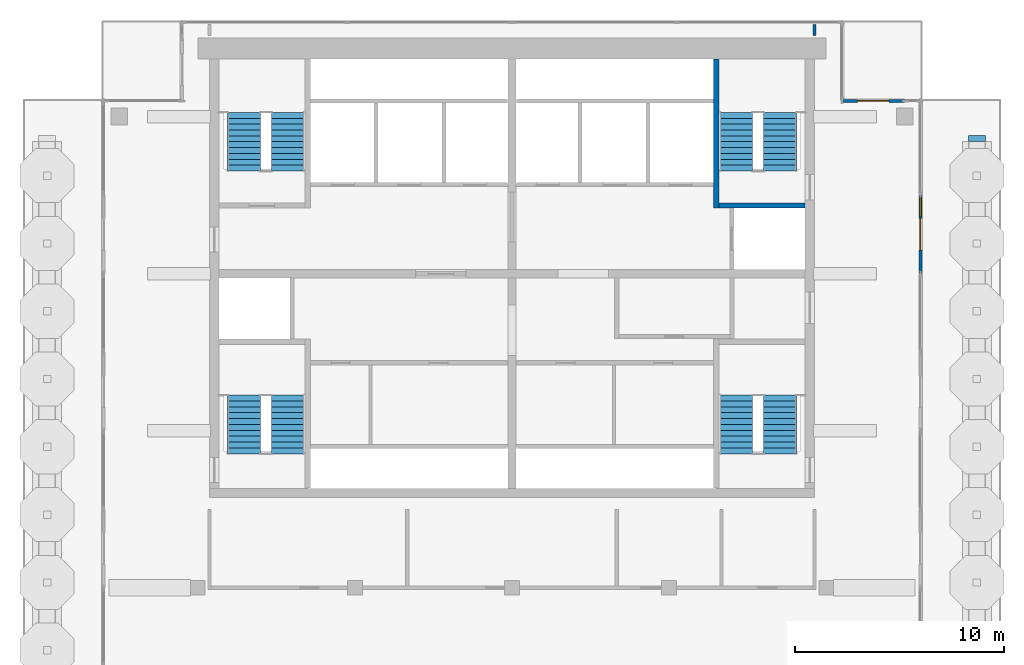
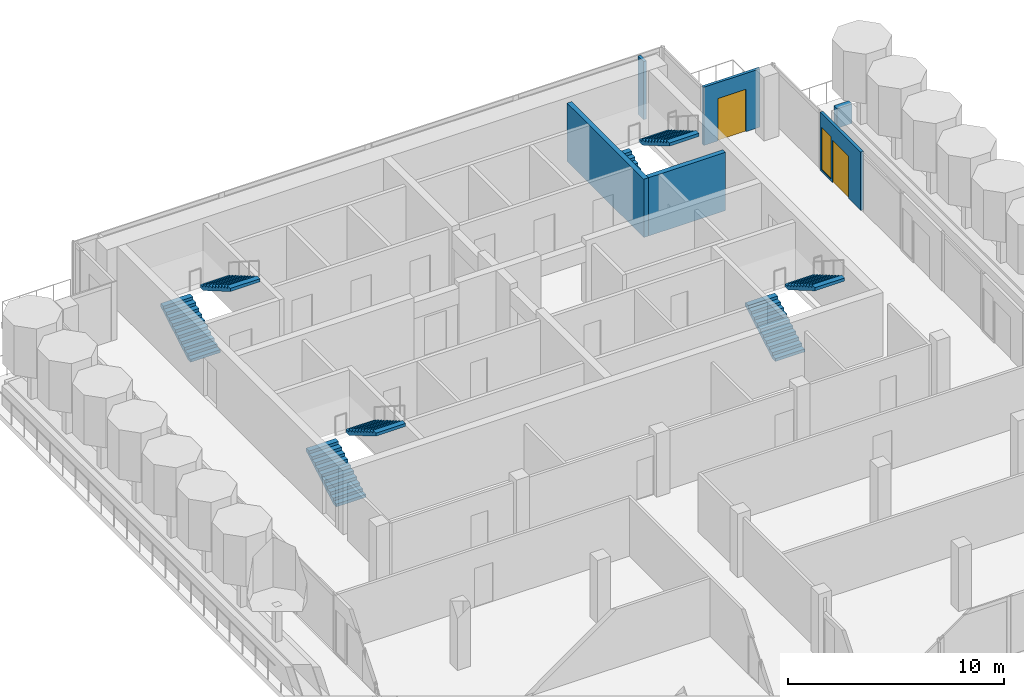
# One storey, part 11 of 15: 8 stair flights, 6 walls, 2 doors, 1 window, 3 openings, 4 elements without a shape of their own.
"""IFC4 building model written with IfcOpenShell, lengths in metres."""

from ifc_helpers import new_model, si_unit, direction, frame, frame_2d, origin, place, context, subcontext, project, spatial, polyline, rectangle, outline, extrude, material, layer, layer_set, type_object, element, fill, aggregate, save


model = new_model("IFC4")

# Units and contexts
model_context = context("Model", 3, precision=1e-05, world=origin(), true_north=direction((0.0, 1.0)))
body_context = subcontext(model_context, "Body", "Model", "MODEL_VIEW")
ifc_project = project(units=[si_unit("LENGTHUNIT", "METRE"), si_unit("AREAUNIT", "SQUARE_METRE"), si_unit("VOLUMEUNIT", "CUBIC_METRE"), si_unit("PLANEANGLEUNIT", "RADIAN"), si_unit("MASSUNIT", "GRAM", prefix="KILO")], contexts=[model_context])

# Site, building, storey
site_placement = place(None, origin())
site = spatial("IfcSite", under=ifc_project, at=site_placement, CompositionType="ELEMENT")
building_placement = place(site_placement, origin())
building = spatial("IfcBuilding", under=site, at=building_placement, Name="Pilkhan Gate Tower", CompositionType="ELEMENT")
storey_placement = place(building_placement, frame((0.0, 0.0, 265.699951171875)))
storey = spatial("IfcBuildingStorey", under=building, at=storey_placement, Name="L69", CompositionType="ELEMENT", Elevation=265.699951171875)

# Wall, openings, door, window
ifc_material_1 = material(Name="Pale anodised aluminium, clear laminated glazing", Category="aluminium")
ifc_layer_1 = layer(ifc_material_1, 0.14990234375)
ifc_layer_set_1 = layer_set([ifc_layer_1], Name="Facade infill wall IW150")
wall_type_1 = type_object("IfcWallType", Name="Facade infill wall IW150", PredefinedType="SOLIDWALL", material=ifc_layer_set_1)
wall_1_placement = place(storey_placement, frame((94.5, 86.25, 0.0), z_axis=(0.0, 0.0, 1.0), x_axis=(0.0, -1.0, 0.0)))
wall_1 = element("IfcWall", 1, at=wall_1_placement, inside=storey, type_object=wall_type_1, Name="Infill wall L69 E", PredefinedType="SOLIDWALL", context=body_context, shape_type="SweptSolid", body=[
    extrude(rectangle(XDim=3.75, YDim=0.14990234375, at=frame_2d((1.875, 0.0))), origin(), (0.0, 0.0, 1.0), 3.300048828125),
])
opening_1_placement = place(wall_1_placement, frame((0.112548828125, 0.0, 0.10009765625)))
opening_1 = element("IfcOpeningElement", 2, at=opening_1_placement, cuts=wall_1, Name="Opening W1", PredefinedType="OPENING", context=body_context, shape_type="SweptSolid", body=[
    extrude(rectangle(XDim=0.89990234375, YDim=2.39990234375, at=frame_2d((0.449951171875, 1.199951171875))), frame((0.0, 0.0849609375, 0.0), z_axis=(0.0, -1.0, 0.0), x_axis=(1.0, 0.0, 0.0)), (0.0, 0.0, 1.0), 0.169921875),
])
opening_2_placement = place(wall_1_placement, frame((1.125, 0.0, 0.0)))
opening_2 = element("IfcOpeningElement", 3, at=opening_2_placement, cuts=wall_1, Name="Opening D5", PredefinedType="OPENING", context=body_context, shape_type="SweptSolid", body=[
    extrude(rectangle(XDim=1.5, YDim=2.39990234375, at=frame_2d((0.75, 1.199951171875))), frame((0.0, 0.0849609375, 0.0), z_axis=(0.0, -1.0, 0.0), x_axis=(1.0, 0.0, 0.0)), (0.0, 0.0, 1.0), 0.169921875),
])
ifc_material_2 = material(Name="Pale anodised aluminium, clear glazing", Category="aluminium")
door_type = type_object("IfcDoorType", Name="Terrace door D5 1500x2400", OperationType="DOUBLE_DOOR_SINGLE_SWING", PredefinedType="DOOR", material=ifc_material_2)
door_1_placement = place(opening_2_placement, origin())
door_1 = element("IfcDoor", 4, at=door_1_placement, inside=storey, type_object=door_type, Name="Terrace door L69", OperationType="DOUBLE_DOOR_SINGLE_SWING", OverallHeight=2.39990234375, OverallWidth=1.5, PredefinedType="DOOR", context=body_context, shape_type="SweptSolid", body=[
    extrude(rectangle(XDim=1.5, YDim=2.39990234375, at=frame_2d((0.75, 1.199951171875))), frame((0.0, 0.02490234375, 0.0), z_axis=(0.0, -1.0, 0.0), x_axis=(1.0, 0.0, 0.0)), (0.0, 0.0, 1.0), 0.050048828125),
])
fill(opening_2, door_1)
ifc_material_3 = material(Name="Pale anodised aluminium, clear double glazing", Category="aluminium")
window_type = type_object("IfcWindowType", Name="Window W1 900x2400", PartitioningType="SINGLE_PANEL", PredefinedType="WINDOW", material=ifc_material_3)
window_placement = place(opening_1_placement, origin())
window = element("IfcWindow", 5, at=window_placement, inside=storey, type_object=window_type, Name="Window L69", OverallHeight=2.39990234375, OverallWidth=0.89990234375, PartitioningType="SINGLE_PANEL", PredefinedType="WINDOW", context=body_context, shape_type="SweptSolid", body=[
    extrude(rectangle(XDim=0.89990234375, YDim=2.39990234375, at=frame_2d((0.449951171875, 1.199951171875))), frame((0.0, 0.030029296875, 0.0), z_axis=(0.0, -1.0, 0.0), x_axis=(1.0, 0.0, 0.0)), (0.0, 0.0, 1.0), 0.06005859375),
])
fill(opening_1, window)

# Wall, opening, door
wall_2_placement = place(storey_placement, frame((90.75, 90.75, 0.0), z_axis=(0.0, 0.0, 1.0), x_axis=(1.0, 0.0, 0.0)))
wall_2 = element("IfcWall", 6, at=wall_2_placement, inside=storey, type_object=wall_type_1, Name="Infill wall L69 N", PredefinedType="SOLIDWALL", context=body_context, shape_type="SweptSolid", body=[
    extrude(rectangle(XDim=3.0, YDim=0.14990234375, at=frame_2d((1.5, 0.0))), origin(), (0.0, 0.0, 1.0), 3.300048828125),
])
opening_3_placement = place(wall_2_placement, frame((0.75, 0.0, 0.0)))
opening_3 = element("IfcOpeningElement", 7, at=opening_3_placement, cuts=wall_2, Name="Opening D5", PredefinedType="OPENING", context=body_context, shape_type="SweptSolid", body=[
    extrude(rectangle(XDim=1.5, YDim=2.39990234375, at=frame_2d((0.75, 1.199951171875))), frame((0.0, 0.0849609375, 0.0), z_axis=(0.0, -1.0, 0.0), x_axis=(1.0, 0.0, 0.0)), (0.0, 0.0, 1.0), 0.169921875),
])
door_2_placement = place(opening_3_placement, origin())
door_2 = element("IfcDoor", 8, at=door_2_placement, inside=storey, type_object=door_type, Name="Terrace door L69", OperationType="DOUBLE_DOOR_SINGLE_SWING", OverallHeight=2.39990234375, OverallWidth=1.5, PredefinedType="DOOR", context=body_context, shape_type="SweptSolid", body=[
    extrude(rectangle(XDim=1.5, YDim=2.39990234375, at=frame_2d((0.75, 1.199951171875))), frame((0.0, 0.02490234375, 0.0), z_axis=(0.0, -1.0, 0.0), x_axis=(1.0, 0.0, 0.0)), (0.0, 0.0, 1.0), 0.050048828125),
])
fill(opening_3, door_2)

# Walls
ifc_material_4 = material(Name="Blockwork partition, plastered both sides", Category="masonry")
ifc_layer_2 = layer(ifc_material_4, 0.14990234375)
ifc_layer_set_2 = layer_set([ifc_layer_2], Name="Partition PW150")
wall_type_2 = type_object("IfcWallType", Name="Partition PW150", PredefinedType="PARTITIONING", material=ifc_layer_set_2)
wall_3_placement = place(storey_placement, frame((89.449951171875, 93.8701171875, 0.0), z_axis=(0.0, 0.0, 1.0), x_axis=(0.0, 1.0, 0.0)))
element("IfcWall", 9, at=wall_3_placement, inside=storey, type_object=wall_type_2, Name="Partition L69", PredefinedType="PARTITIONING", context=body_context, shape_type="SweptSolid", body=[
    extrude(rectangle(XDim=0.52490234375, YDim=0.14990234375, at=frame_2d((0.262451171875, 0.0))), origin(), (0.0, 0.0, 1.0), 3.300048828125),
])
ifc_material_5 = material(Name="Reinforced blockwork, 120 minute fire resisting", Category="masonry")
ifc_layer_3 = layer(ifc_material_5, 0.25)
ifc_layer_set_3 = layer_set([ifc_layer_3], Name="Stair enclosure wall SE250")
wall_type_3 = type_object("IfcWallType", Name="Stair enclosure wall SE250", PredefinedType="PARTITIONING", material=ifc_layer_set_3)
wall_4_placement = place(storey_placement, frame((84.875, 85.75, 0.0), z_axis=(0.0, 0.0, 1.0), x_axis=(1.0, 0.0, 0.0)))
element("IfcWall", 10, at=wall_4_placement, inside=storey, type_object=wall_type_3, Name="Partition L69", PredefinedType="PARTITIONING", context=body_context, shape_type="SweptSolid", body=[
    extrude(rectangle(XDim=4.114990234375, YDim=0.25, at=frame_2d((2.0576171875, 0.0))), origin(), (0.0, 0.0, 1.0), 3.300048828125),
])
wall_5_placement = place(storey_placement, frame((84.75, 85.625, 0.0), z_axis=(0.0, 0.0, 1.0), x_axis=(0.0, 1.0, 0.0)))
element("IfcWall", 11, at=wall_5_placement, inside=storey, type_object=wall_type_3, Name="Partition L69", PredefinedType="PARTITIONING", context=body_context, shape_type="SweptSolid", body=[
    extrude(rectangle(XDim=7.114990234375, YDim=0.25, at=frame_2d((3.5576171875, 0.0))), origin(), (0.0, 0.0, 1.0), 3.300048828125),
])
ifc_material_6 = material(Name="Concrete C40/50", Category="concrete")
ifc_layer_4 = layer(ifc_material_6, 0.300048828125)
ifc_layer_set_4 = layer_set([ifc_layer_4], Name="Terrace planter TP800")
wall_type_4 = type_object("IfcWallType", Name="Terrace planter TP800", PredefinedType="USERDEFINED", material=ifc_layer_set_4)
wall_6_placement = place(storey_placement, frame((96.800048828125, 88.949951171875, 0.0), z_axis=(0.0, 0.0, 1.0), x_axis=(1.0, 0.0, 0.0)))
element("IfcWall", 12, at=wall_6_placement, inside=storey, type_object=wall_type_4, Name="Terrace planter L69", ObjectType="TERRACE PLANTER", PredefinedType="USERDEFINED", context=body_context, shape_type="SweptSolid", body=[
    extrude(rectangle(XDim=0.800048828125, YDim=0.300048828125, at=frame_2d((0.39990234375, 0.0))), origin(), (0.0, 0.0, 1.0), 1.10009765625),
])

# Stair, stair flights
ifc_material_7 = material(Name="Concrete C40/50 precast", Category="concrete")
stair_type_1 = type_object("IfcStairType", Name="Stair ST1 164x280", PredefinedType="HALF_TURN_STAIR", material=ifc_material_7)
stair_1_placement = place(storey_placement, origin())
stair_1 = element("IfcStair", 13, at=stair_1_placement, inside=storey, type_object=stair_type_1, Name="Stair ST1 L69", PredefinedType="HALF_TURN_STAIR")
stair_flight_type_1 = type_object("IfcStairFlightType", Name="Stair flight ST1 164x280x11", PredefinedType="STRAIGHT", material=ifc_material_7)
stair_flight_1_placement = place(storey_placement, frame((85.68994140625, 73.89990234375, 0.0), z_axis=(0.0, 0.0, 1.0), x_axis=(0.0, 1.0, 0.0)))
stair_flight_1 = element("IfcStairFlight", 14, at=stair_flight_1_placement, type_object=stair_flight_type_1, Name="ST1 flight 1", NumberOfRisers=11, NumberOfTreads=10, PredefinedType="STRAIGHT", RiserHeight=0.163636364, TreadLength=0.28, context=body_context, shape_type="SweptSolid", body=[
    extrude(outline(polyline([(0.0, 0.0), (0.0, 0.16357421875), (0.280029296875, 0.16357421875), (0.280029296875, 0.327392578125), (0.56005859375, 0.327392578125), (0.56005859375, 0.490966796875), (0.840087890625, 0.490966796875), (0.840087890625, 0.654541015625), (1.1201171875, 0.654541015625), (1.1201171875, 0.818115234375), (1.39990234375, 0.818115234375), (1.39990234375, 0.98193359375), (1.679931640625, 0.98193359375), (1.679931640625, 1.1455078125), (1.9599609375, 1.1455078125), (1.9599609375, 1.30908203125), (2.239990234375, 1.30908203125), (2.239990234375, 1.47265625), (2.52001953125, 1.47265625), (2.52001953125, 1.636474609375), (2.800048828125, 1.636474609375), (2.800048828125, 1.800048828125), (2.800048828125, 1.462646484375), (0.297119140625, 0.0), (0.0, 0.0)])), frame((0.0, 0.7900390625, 0.0), z_axis=(0.0, -1.0, 0.0), x_axis=(1.0, 0.0, 0.0)), (0.0, 0.0, 1.0), 1.580078125),
])
stair_flight_2_placement = place(storey_placement, frame((87.81005859375, 76.699951171875, 1.800048828125), z_axis=(0.0, 0.0, 1.0), x_axis=(0.0, -1.0, 0.0)))
stair_flight_2 = element("IfcStairFlight", 15, at=stair_flight_2_placement, type_object=stair_flight_type_1, Name="ST1 flight 2", NumberOfRisers=11, NumberOfTreads=10, PredefinedType="STRAIGHT", RiserHeight=0.163636364, TreadLength=0.28, context=body_context, shape_type="SweptSolid", body=[
    extrude(outline(polyline([(0.0, 0.0), (0.0, 0.16357421875), (0.280029296875, 0.16357421875), (0.280029296875, 0.327392578125), (0.56005859375, 0.327392578125), (0.56005859375, 0.490966796875), (0.840087890625, 0.490966796875), (0.840087890625, 0.654541015625), (1.1201171875, 0.654541015625), (1.1201171875, 0.818115234375), (1.39990234375, 0.818115234375), (1.39990234375, 0.98193359375), (1.679931640625, 0.98193359375), (1.679931640625, 1.1455078125), (1.9599609375, 1.1455078125), (1.9599609375, 1.30908203125), (2.239990234375, 1.30908203125), (2.239990234375, 1.47265625), (2.52001953125, 1.47265625), (2.52001953125, 1.636474609375), (2.800048828125, 1.636474609375), (2.800048828125, 1.800048828125), (2.800048828125, 1.462646484375), (0.297119140625, 0.0), (0.0, 0.0)])), frame((0.0, 0.7900390625, 0.0), z_axis=(0.0, -1.0, 0.0), x_axis=(1.0, 0.0, 0.0)), (0.0, 0.0, 1.0), 1.580078125),
])
aggregate(stair_1, [stair_flight_1, stair_flight_2])

stair_type_2 = type_object("IfcStairType", Name="Stair ST2 164x280", PredefinedType="HALF_TURN_STAIR", material=ifc_material_7)
stair_2_placement = place(storey_placement, origin())
stair_2 = element("IfcStair", 16, at=stair_2_placement, inside=storey, type_object=stair_type_2, Name="Stair ST2 L69", PredefinedType="HALF_TURN_STAIR")
stair_flight_type_2 = type_object("IfcStairFlightType", Name="Stair flight ST2 164x280x11", PredefinedType="STRAIGHT", material=ifc_material_7)
stair_flight_3_placement = place(storey_placement, frame((62.18994140625, 73.89990234375, 0.0), z_axis=(0.0, 0.0, 1.0), x_axis=(0.0, 1.0, 0.0)))
stair_flight_3 = element("IfcStairFlight", 17, at=stair_flight_3_placement, type_object=stair_flight_type_2, Name="ST2 flight 1", NumberOfRisers=11, NumberOfTreads=10, PredefinedType="STRAIGHT", RiserHeight=0.163636364, TreadLength=0.28, context=body_context, shape_type="SweptSolid", body=[
    extrude(outline(polyline([(0.0, 0.0), (0.0, 0.16357421875), (0.280029296875, 0.16357421875), (0.280029296875, 0.327392578125), (0.56005859375, 0.327392578125), (0.56005859375, 0.490966796875), (0.840087890625, 0.490966796875), (0.840087890625, 0.654541015625), (1.1201171875, 0.654541015625), (1.1201171875, 0.818115234375), (1.39990234375, 0.818115234375), (1.39990234375, 0.98193359375), (1.679931640625, 0.98193359375), (1.679931640625, 1.1455078125), (1.9599609375, 1.1455078125), (1.9599609375, 1.30908203125), (2.239990234375, 1.30908203125), (2.239990234375, 1.47265625), (2.52001953125, 1.47265625), (2.52001953125, 1.636474609375), (2.800048828125, 1.636474609375), (2.800048828125, 1.800048828125), (2.800048828125, 1.462646484375), (0.297119140625, 0.0), (0.0, 0.0)])), frame((0.0, 0.7900390625, 0.0), z_axis=(0.0, -1.0, 0.0), x_axis=(1.0, 0.0, 0.0)), (0.0, 0.0, 1.0), 1.580078125),
])
stair_flight_4_placement = place(storey_placement, frame((64.31005859375, 76.699951171875, 1.800048828125), z_axis=(0.0, 0.0, 1.0), x_axis=(0.0, -1.0, 0.0)))
stair_flight_4 = element("IfcStairFlight", 18, at=stair_flight_4_placement, type_object=stair_flight_type_2, Name="ST2 flight 2", NumberOfRisers=11, NumberOfTreads=10, PredefinedType="STRAIGHT", RiserHeight=0.163636364, TreadLength=0.28, context=body_context, shape_type="SweptSolid", body=[
    extrude(outline(polyline([(0.0, 0.0), (0.0, 0.16357421875), (0.280029296875, 0.16357421875), (0.280029296875, 0.327392578125), (0.56005859375, 0.327392578125), (0.56005859375, 0.490966796875), (0.840087890625, 0.490966796875), (0.840087890625, 0.654541015625), (1.1201171875, 0.654541015625), (1.1201171875, 0.818115234375), (1.39990234375, 0.818115234375), (1.39990234375, 0.98193359375), (1.679931640625, 0.98193359375), (1.679931640625, 1.1455078125), (1.9599609375, 1.1455078125), (1.9599609375, 1.30908203125), (2.239990234375, 1.30908203125), (2.239990234375, 1.47265625), (2.52001953125, 1.47265625), (2.52001953125, 1.636474609375), (2.800048828125, 1.636474609375), (2.800048828125, 1.800048828125), (2.800048828125, 1.462646484375), (0.297119140625, 0.0), (0.0, 0.0)])), frame((0.0, 0.7900390625, 0.0), z_axis=(0.0, -1.0, 0.0), x_axis=(1.0, 0.0, 0.0)), (0.0, 0.0, 1.0), 1.580078125),
])
aggregate(stair_2, [stair_flight_3, stair_flight_4])

stair_type_3 = type_object("IfcStairType", Name="Stair ST3 164x280", PredefinedType="HALF_TURN_STAIR", material=ifc_material_7)
stair_3_placement = place(storey_placement, origin())
stair_3 = element("IfcStair", 19, at=stair_3_placement, inside=storey, type_object=stair_type_3, Name="Stair ST3 L69", PredefinedType="HALF_TURN_STAIR")
stair_flight_type_3 = type_object("IfcStairFlightType", Name="Stair flight ST3 164x280x11", PredefinedType="STRAIGHT", material=ifc_material_7)
stair_flight_5_placement = place(storey_placement, frame((62.18994140625, 87.39990234375, 0.0), z_axis=(0.0, 0.0, 1.0), x_axis=(0.0, 1.0, 0.0)))
stair_flight_5 = element("IfcStairFlight", 20, at=stair_flight_5_placement, type_object=stair_flight_type_3, Name="ST3 flight 1", NumberOfRisers=11, NumberOfTreads=10, PredefinedType="STRAIGHT", RiserHeight=0.163636364, TreadLength=0.28, context=body_context, shape_type="SweptSolid", body=[
    extrude(outline(polyline([(0.0, 0.0), (0.0, 0.16357421875), (0.280029296875, 0.16357421875), (0.280029296875, 0.327392578125), (0.56005859375, 0.327392578125), (0.56005859375, 0.490966796875), (0.840087890625, 0.490966796875), (0.840087890625, 0.654541015625), (1.1201171875, 0.654541015625), (1.1201171875, 0.818115234375), (1.39990234375, 0.818115234375), (1.39990234375, 0.98193359375), (1.679931640625, 0.98193359375), (1.679931640625, 1.1455078125), (1.9599609375, 1.1455078125), (1.9599609375, 1.30908203125), (2.239990234375, 1.30908203125), (2.239990234375, 1.47265625), (2.52001953125, 1.47265625), (2.52001953125, 1.636474609375), (2.800048828125, 1.636474609375), (2.800048828125, 1.800048828125), (2.800048828125, 1.462646484375), (0.297119140625, 0.0), (0.0, 0.0)])), frame((0.0, 0.7900390625, 0.0), z_axis=(0.0, -1.0, 0.0), x_axis=(1.0, 0.0, 0.0)), (0.0, 0.0, 1.0), 1.580078125),
])
stair_flight_6_placement = place(storey_placement, frame((64.31005859375, 90.199951171875, 1.800048828125), z_axis=(0.0, 0.0, 1.0), x_axis=(0.0, -1.0, 0.0)))
stair_flight_6 = element("IfcStairFlight", 21, at=stair_flight_6_placement, type_object=stair_flight_type_3, Name="ST3 flight 2", NumberOfRisers=11, NumberOfTreads=10, PredefinedType="STRAIGHT", RiserHeight=0.163636364, TreadLength=0.28, context=body_context, shape_type="SweptSolid", body=[
    extrude(outline(polyline([(0.0, 0.0), (0.0, 0.16357421875), (0.280029296875, 0.16357421875), (0.280029296875, 0.327392578125), (0.56005859375, 0.327392578125), (0.56005859375, 0.490966796875), (0.840087890625, 0.490966796875), (0.840087890625, 0.654541015625), (1.1201171875, 0.654541015625), (1.1201171875, 0.818115234375), (1.39990234375, 0.818115234375), (1.39990234375, 0.98193359375), (1.679931640625, 0.98193359375), (1.679931640625, 1.1455078125), (1.9599609375, 1.1455078125), (1.9599609375, 1.30908203125), (2.239990234375, 1.30908203125), (2.239990234375, 1.47265625), (2.52001953125, 1.47265625), (2.52001953125, 1.636474609375), (2.800048828125, 1.636474609375), (2.800048828125, 1.800048828125), (2.800048828125, 1.462646484375), (0.297119140625, 0.0), (0.0, 0.0)])), frame((0.0, 0.7900390625, 0.0), z_axis=(0.0, -1.0, 0.0), x_axis=(1.0, 0.0, 0.0)), (0.0, 0.0, 1.0), 1.580078125),
])
aggregate(stair_3, [stair_flight_5, stair_flight_6])

stair_type_4 = type_object("IfcStairType", Name="Stair ST4 164x280", PredefinedType="HALF_TURN_STAIR", material=ifc_material_7)
stair_4_placement = place(storey_placement, origin())
stair_4 = element("IfcStair", 22, at=stair_4_placement, inside=storey, type_object=stair_type_4, Name="Stair ST4 L69", PredefinedType="HALF_TURN_STAIR")
stair_flight_type_4 = type_object("IfcStairFlightType", Name="Stair flight ST4 164x280x11", PredefinedType="STRAIGHT", material=ifc_material_7)
stair_flight_7_placement = place(storey_placement, frame((85.68994140625, 87.39990234375, 0.0), z_axis=(0.0, 0.0, 1.0), x_axis=(0.0, 1.0, 0.0)))
stair_flight_7 = element("IfcStairFlight", 23, at=stair_flight_7_placement, type_object=stair_flight_type_4, Name="ST4 flight 1", NumberOfRisers=11, NumberOfTreads=10, PredefinedType="STRAIGHT", RiserHeight=0.163636364, TreadLength=0.28, context=body_context, shape_type="SweptSolid", body=[
    extrude(outline(polyline([(0.0, 0.0), (0.0, 0.16357421875), (0.280029296875, 0.16357421875), (0.280029296875, 0.327392578125), (0.56005859375, 0.327392578125), (0.56005859375, 0.490966796875), (0.840087890625, 0.490966796875), (0.840087890625, 0.654541015625), (1.1201171875, 0.654541015625), (1.1201171875, 0.818115234375), (1.39990234375, 0.818115234375), (1.39990234375, 0.98193359375), (1.679931640625, 0.98193359375), (1.679931640625, 1.1455078125), (1.9599609375, 1.1455078125), (1.9599609375, 1.30908203125), (2.239990234375, 1.30908203125), (2.239990234375, 1.47265625), (2.52001953125, 1.47265625), (2.52001953125, 1.636474609375), (2.800048828125, 1.636474609375), (2.800048828125, 1.800048828125), (2.800048828125, 1.462646484375), (0.297119140625, 0.0), (0.0, 0.0)])), frame((0.0, 0.7900390625, 0.0), z_axis=(0.0, -1.0, 0.0), x_axis=(1.0, 0.0, 0.0)), (0.0, 0.0, 1.0), 1.580078125),
])
stair_flight_8_placement = place(storey_placement, frame((87.81005859375, 90.199951171875, 1.800048828125), z_axis=(0.0, 0.0, 1.0), x_axis=(0.0, -1.0, 0.0)))
stair_flight_8 = element("IfcStairFlight", 24, at=stair_flight_8_placement, type_object=stair_flight_type_4, Name="ST4 flight 2", NumberOfRisers=11, NumberOfTreads=10, PredefinedType="STRAIGHT", RiserHeight=0.163636364, TreadLength=0.28, context=body_context, shape_type="SweptSolid", body=[
    extrude(outline(polyline([(0.0, 0.0), (0.0, 0.16357421875), (0.280029296875, 0.16357421875), (0.280029296875, 0.327392578125), (0.56005859375, 0.327392578125), (0.56005859375, 0.490966796875), (0.840087890625, 0.490966796875), (0.840087890625, 0.654541015625), (1.1201171875, 0.654541015625), (1.1201171875, 0.818115234375), (1.39990234375, 0.818115234375), (1.39990234375, 0.98193359375), (1.679931640625, 0.98193359375), (1.679931640625, 1.1455078125), (1.9599609375, 1.1455078125), (1.9599609375, 1.30908203125), (2.239990234375, 1.30908203125), (2.239990234375, 1.47265625), (2.52001953125, 1.47265625), (2.52001953125, 1.636474609375), (2.800048828125, 1.636474609375), (2.800048828125, 1.800048828125), (2.800048828125, 1.462646484375), (0.297119140625, 0.0), (0.0, 0.0)])), frame((0.0, 0.7900390625, 0.0), z_axis=(0.0, -1.0, 0.0), x_axis=(1.0, 0.0, 0.0)), (0.0, 0.0, 1.0), 1.580078125),
])
aggregate(stair_4, [stair_flight_7, stair_flight_8])

save(model, "model.ifc")
